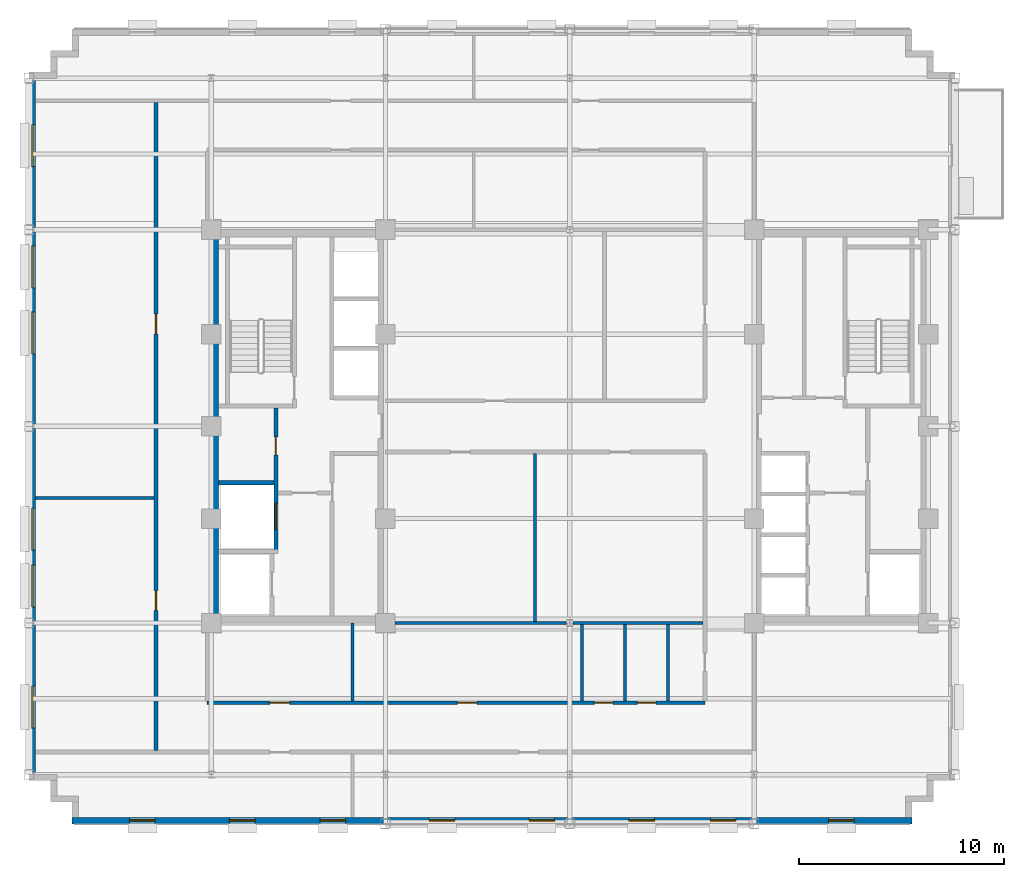
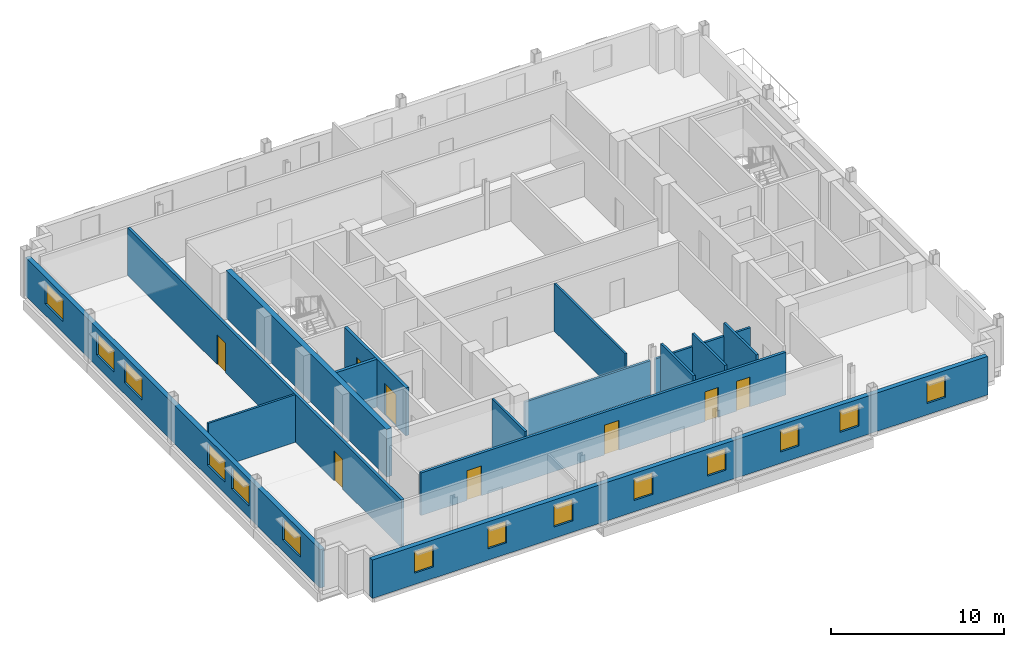
# One storey, part 6 of 13: 15 walls, 14 windows, 8 doors, 22 openings.
"""IFC4 building model written with IfcOpenShell, lengths in metres."""

from ifc_helpers import new_model, si_unit, direction, frame, frame_2d, origin, place, context, subcontext, project, spatial, rectangle, extrude, source, transform, mapped, material, layer, layer_set, type_object, type_shapes, element, fill, save


model = new_model("IFC4")

# Units and contexts
model_context = context("Model", 3, precision=1e-05, world=origin(), true_north=direction((0.0, 1.0)))
body_context = subcontext(model_context, "Body", "Model", "MODEL_VIEW")
ifc_project = project(units=[si_unit("LENGTHUNIT", "METRE"), si_unit("AREAUNIT", "SQUARE_METRE"), si_unit("VOLUMEUNIT", "CUBIC_METRE"), si_unit("PLANEANGLEUNIT", "RADIAN"), si_unit("MASSUNIT", "GRAM", prefix="KILO")], contexts=[model_context])

# Site, building, storey
site_placement = place(None, origin())
site = spatial("IfcSite", under=ifc_project, at=site_placement, CompositionType="ELEMENT")
building_placement = place(site_placement, origin())
building = spatial("IfcBuilding", under=site, at=building_placement, Name="Nuvemarco Arch Tower", CompositionType="ELEMENT")
storey_placement = place(building_placement, frame((0.0, 0.0, 220.10009765625)))
storey = spatial("IfcBuildingStorey", under=building, at=storey_placement, Name="L58", CompositionType="ELEMENT", Elevation=220.10009765625)

# Wall, openings, windows
ifc_material_1 = material(Name="Precast concrete C45/55", Category="concrete")
ifc_layer_1 = layer(ifc_material_1, 0.31005859375, Name="EW-UPP-310")
ifc_layer_set_1 = layer_set([ifc_layer_1], Name="Precast concrete C45/55")
wall_type_1 = type_object("IfcWallType", Name="EW-UPP-310", PredefinedType="STANDARD", material=ifc_layer_set_1)
wall_1_placement = place(storey_placement, frame((-24.300048828125, -19.2451171875, 0.0), z_axis=(0.0, 0.0, 1.0), x_axis=(1.0, 0.0, 0.0)))
wall_1 = element("IfcWall", 1, at=wall_1_placement, inside=storey, type_object=wall_type_1, Name="L58 exterior precast facade wall 1", PredefinedType="STANDARD", context=body_context, shape_type="SweptSolid", body=[
    extrude(rectangle(XDim=41.0, YDim=0.31005859375, at=frame_2d((20.5, 0.0))), origin(), (0.0, 0.0, 1.0), 2.704833984375),
])
opening_1_placement = place(wall_1_placement, frame((2.8125, 0.0, 0.800048828125)))
opening_1 = element("IfcOpeningElement", 2, at=opening_1_placement, cuts=wall_1, Name="Opening WN-13", PredefinedType="OPENING", context=body_context, shape_type="SweptSolid", body=[
    extrude(rectangle(XDim=1.25, YDim=1.52001953125, at=frame_2d((0.625, 0.760009765625))), frame((0.0, 0.1650390625, 0.0), z_axis=(0.0, -1.0, 0.0), x_axis=(1.0, 0.0, 0.0)), (0.0, 0.0, 1.0), 0.330078125),
])
opening_2_placement = place(wall_1_placement, frame((7.6875, 0.0, 0.800048828125)))
opening_2 = element("IfcOpeningElement", 3, at=opening_2_placement, cuts=wall_1, Name="Opening WN-13", PredefinedType="OPENING", context=body_context, shape_type="SweptSolid", body=[
    extrude(rectangle(XDim=1.25, YDim=1.52001953125, at=frame_2d((0.625, 0.760009765625))), frame((0.0, 0.1650390625, 0.0), z_axis=(0.0, -1.0, 0.0), x_axis=(1.0, 0.0, 0.0)), (0.0, 0.0, 1.0), 0.330078125),
])
opening_3_placement = place(wall_1_placement, frame((12.112548828125, 0.0, 0.800048828125)))
opening_3 = element("IfcOpeningElement", 4, at=opening_3_placement, cuts=wall_1, Name="Opening WN-13", PredefinedType="OPENING", context=body_context, shape_type="SweptSolid", body=[
    extrude(rectangle(XDim=1.25, YDim=1.52001953125, at=frame_2d((0.625, 0.760009765625))), frame((0.0, 0.1650390625, 0.0), z_axis=(0.0, -1.0, 0.0), x_axis=(1.0, 0.0, 0.0)), (0.0, 0.0, 1.0), 0.330078125),
])
opening_4_placement = place(wall_1_placement, frame((17.4375, 0.0, 0.800048828125)))
opening_4 = element("IfcOpeningElement", 5, at=opening_4_placement, cuts=wall_1, Name="Opening WN-13", PredefinedType="OPENING", context=body_context, shape_type="SweptSolid", body=[
    extrude(rectangle(XDim=1.25, YDim=1.52001953125, at=frame_2d((0.625, 0.760009765625))), frame((0.0, 0.1650390625, 0.0), z_axis=(0.0, -1.0, 0.0), x_axis=(1.0, 0.0, 0.0)), (0.0, 0.0, 1.0), 0.330078125),
])
opening_5_placement = place(wall_1_placement, frame((22.3125, 0.0, 0.800048828125)))
opening_5 = element("IfcOpeningElement", 6, at=opening_5_placement, cuts=wall_1, Name="Opening WN-13", PredefinedType="OPENING", context=body_context, shape_type="SweptSolid", body=[
    extrude(rectangle(XDim=1.25, YDim=1.52001953125, at=frame_2d((0.625, 0.760009765625))), frame((0.0, 0.1650390625, 0.0), z_axis=(0.0, -1.0, 0.0), x_axis=(1.0, 0.0, 0.0)), (0.0, 0.0, 1.0), 0.330078125),
])
opening_6_placement = place(wall_1_placement, frame((27.1875, 0.0, 0.800048828125)))
opening_6 = element("IfcOpeningElement", 7, at=opening_6_placement, cuts=wall_1, Name="Opening WN-13", PredefinedType="OPENING", context=body_context, shape_type="SweptSolid", body=[
    extrude(rectangle(XDim=1.25, YDim=1.52001953125, at=frame_2d((0.625, 0.760009765625))), frame((0.0, 0.1650390625, 0.0), z_axis=(0.0, -1.0, 0.0), x_axis=(1.0, 0.0, 0.0)), (0.0, 0.0, 1.0), 0.330078125),
])
opening_7_placement = place(wall_1_placement, frame((31.16259765625, 0.0, 0.800048828125)))
opening_7 = element("IfcOpeningElement", 8, at=opening_7_placement, cuts=wall_1, Name="Opening WN-13", PredefinedType="OPENING", context=body_context, shape_type="SweptSolid", body=[
    extrude(rectangle(XDim=1.25, YDim=1.52001953125, at=frame_2d((0.625, 0.760009765625))), frame((0.0, 0.1650390625, 0.0), z_axis=(0.0, -1.0, 0.0), x_axis=(1.0, 0.0, 0.0)), (0.0, 0.0, 1.0), 0.330078125),
])
opening_8_placement = place(wall_1_placement, frame((36.9375, 0.0, 0.800048828125)))
opening_8 = element("IfcOpeningElement", 9, at=opening_8_placement, cuts=wall_1, Name="Opening WN-13", PredefinedType="OPENING", context=body_context, shape_type="SweptSolid", body=[
    extrude(rectangle(XDim=1.25, YDim=1.52001953125, at=frame_2d((0.625, 0.760009765625))), frame((0.0, 0.1650390625, 0.0), z_axis=(0.0, -1.0, 0.0), x_axis=(1.0, 0.0, 0.0)), (0.0, 0.0, 1.0), 0.330078125),
])
ifc_material_2 = material(Name="Insulated solar-control glass", Category="glass")
window_type_1 = type_object("IfcWindowType", Name="WN-SET-1250x1520", PartitioningType="SINGLE_PANEL", PredefinedType="WINDOW", material=ifc_material_2)
shared_shape_1 = source(origin(), body_context, "Body", "SweptSolid", [
    extrude(rectangle(XDim=1.25, YDim=1.52001953125, at=frame_2d((0.625, 0.760009765625))), frame((0.0, 0.030029296875, 0.0), z_axis=(0.0, -1.0, 0.0), x_axis=(1.0, 0.0, 0.0)), (0.0, 0.0, 1.0), 0.06005859375),
])
type_shapes(window_type_1, [shared_shape_1])
window_1_placement = place(opening_1_placement, origin())
window_1 = element("IfcWindow", 10, at=window_1_placement, inside=storey, type_object=window_type_1, Name="L58 punched facade window 1", OverallHeight=1.52001953125, OverallWidth=1.25, PartitioningType="SINGLE_PANEL", PredefinedType="WINDOW", context=body_context, shape_type="MappedRepresentation", body=[
    mapped(shared_shape_1, transform((0.0, 0.0, 0.0), scale=1.0)),
])
fill(opening_1, window_1)
window_2_placement = place(opening_2_placement, origin())
window_2 = element("IfcWindow", 11, at=window_2_placement, inside=storey, type_object=window_type_1, Name="L58 punched facade window 2", OverallHeight=1.52001953125, OverallWidth=1.25, PartitioningType="SINGLE_PANEL", PredefinedType="WINDOW", context=body_context, shape_type="MappedRepresentation", body=[
    mapped(shared_shape_1, transform((0.0, 0.0, 0.0), scale=1.0)),
])
fill(opening_2, window_2)
window_3_placement = place(opening_3_placement, origin())
window_3 = element("IfcWindow", 12, at=window_3_placement, inside=storey, type_object=window_type_1, Name="L58 punched facade window 3", OverallHeight=1.52001953125, OverallWidth=1.25, PartitioningType="SINGLE_PANEL", PredefinedType="WINDOW", context=body_context, shape_type="MappedRepresentation", body=[
    mapped(shared_shape_1, transform((0.0, 0.0, 0.0), scale=1.0)),
])
fill(opening_3, window_3)
window_4_placement = place(opening_4_placement, origin())
window_4 = element("IfcWindow", 13, at=window_4_placement, inside=storey, type_object=window_type_1, Name="L58 punched facade window 4", OverallHeight=1.52001953125, OverallWidth=1.25, PartitioningType="SINGLE_PANEL", PredefinedType="WINDOW", context=body_context, shape_type="MappedRepresentation", body=[
    mapped(shared_shape_1, transform((0.0, 0.0, 0.0), scale=1.0)),
])
fill(opening_4, window_4)
window_5_placement = place(opening_5_placement, origin())
window_5 = element("IfcWindow", 14, at=window_5_placement, inside=storey, type_object=window_type_1, Name="L58 punched facade window 5", OverallHeight=1.52001953125, OverallWidth=1.25, PartitioningType="SINGLE_PANEL", PredefinedType="WINDOW", context=body_context, shape_type="MappedRepresentation", body=[
    mapped(shared_shape_1, transform((0.0, 0.0, 0.0), scale=1.0)),
])
fill(opening_5, window_5)
window_6_placement = place(opening_6_placement, origin())
window_6 = element("IfcWindow", 15, at=window_6_placement, inside=storey, type_object=window_type_1, Name="L58 punched facade window 6", OverallHeight=1.52001953125, OverallWidth=1.25, PartitioningType="SINGLE_PANEL", PredefinedType="WINDOW", context=body_context, shape_type="MappedRepresentation", body=[
    mapped(shared_shape_1, transform((0.0, 0.0, 0.0), scale=1.0)),
])
fill(opening_6, window_6)
window_7_placement = place(opening_7_placement, origin())
window_7 = element("IfcWindow", 16, at=window_7_placement, inside=storey, type_object=window_type_1, Name="L58 punched facade window 7", OverallHeight=1.52001953125, OverallWidth=1.25, PartitioningType="SINGLE_PANEL", PredefinedType="WINDOW", context=body_context, shape_type="MappedRepresentation", body=[
    mapped(shared_shape_1, transform((0.0, 0.0, 0.0), scale=1.0)),
])
fill(opening_7, window_7)
window_8_placement = place(opening_8_placement, origin())
window_8 = element("IfcWindow", 17, at=window_8_placement, inside=storey, type_object=window_type_1, Name="L58 punched facade window 8", OverallHeight=1.52001953125, OverallWidth=1.25, PartitioningType="SINGLE_PANEL", PredefinedType="WINDOW", context=body_context, shape_type="MappedRepresentation", body=[
    mapped(shared_shape_1, transform((0.0, 0.0, 0.0), scale=1.0)),
])
fill(opening_8, window_8)

wall_2_placement = place(storey_placement, frame((-26.2451171875, -16.993896484375, 0.0), z_axis=(0.0, 0.0, 1.0), x_axis=(0.0, 1.0, 0.0)))
wall_2 = element("IfcWall", 18, at=wall_2_placement, inside=storey, type_object=wall_type_1, Name="L58 exterior precast facade wall 16", PredefinedType="STANDARD", context=body_context, shape_type="SweptSolid", body=[
    extrude(rectangle(XDim=33.98779296875, YDim=0.31005859375, at=frame_2d((16.993896484375, 0.0))), origin(), (0.0, 0.0, 1.0), 2.704833984375),
])
opening_9_placement = place(wall_2_placement, frame((2.260009765625, 0.0, 0.800048828125)))
opening_9 = element("IfcOpeningElement", 19, at=opening_9_placement, cuts=wall_2, Name="Opening WN-12", PredefinedType="OPENING", context=body_context, shape_type="SweptSolid", body=[
    extrude(rectangle(XDim=2.050048828125, YDim=1.52001953125, at=frame_2d((1.02490234375, 0.760009765625))), frame((0.0, 0.1650390625, 0.0), z_axis=(0.0, -1.0, 0.0), x_axis=(1.0, 0.0, 0.0)), (0.0, 0.0, 1.0), 0.330078125),
])
opening_10_placement = place(wall_2_placement, frame((8.1796875, 0.0, 0.800048828125)))
opening_10 = element("IfcOpeningElement", 20, at=opening_10_placement, cuts=wall_2, Name="Opening WN-12", PredefinedType="OPENING", context=body_context, shape_type="SweptSolid", body=[
    extrude(rectangle(XDim=2.050048828125, YDim=1.52001953125, at=frame_2d((1.02490234375, 0.760009765625))), frame((0.0, 0.1650390625, 0.0), z_axis=(0.0, -1.0, 0.0), x_axis=(1.0, 0.0, 0.0)), (0.0, 0.0, 1.0), 0.330078125),
])
opening_11_placement = place(wall_2_placement, frame((10.94921875, 0.0, 0.800048828125)))
opening_11 = element("IfcOpeningElement", 21, at=opening_11_placement, cuts=wall_2, Name="Opening WN-12", PredefinedType="OPENING", context=body_context, shape_type="SweptSolid", body=[
    extrude(rectangle(XDim=2.050048828125, YDim=1.52001953125, at=frame_2d((1.02490234375, 0.760009765625))), frame((0.0, 0.1650390625, 0.0), z_axis=(0.0, -1.0, 0.0), x_axis=(1.0, 0.0, 0.0)), (0.0, 0.0, 1.0), 0.330078125),
])
opening_12_placement = place(wall_2_placement, frame((20.538818359375, 0.0, 0.800048828125)))
opening_12 = element("IfcOpeningElement", 22, at=opening_12_placement, cuts=wall_2, Name="Opening WN-12", PredefinedType="OPENING", context=body_context, shape_type="SweptSolid", body=[
    extrude(rectangle(XDim=2.050048828125, YDim=1.52001953125, at=frame_2d((1.02490234375, 0.760009765625))), frame((0.0, 0.1650390625, 0.0), z_axis=(0.0, -1.0, 0.0), x_axis=(1.0, 0.0, 0.0)), (0.0, 0.0, 1.0), 0.330078125),
])
opening_13_placement = place(wall_2_placement, frame((23.75830078125, 0.0, 0.800048828125)))
opening_13 = element("IfcOpeningElement", 23, at=opening_13_placement, cuts=wall_2, Name="Opening WN-12", PredefinedType="OPENING", context=body_context, shape_type="SweptSolid", body=[
    extrude(rectangle(XDim=2.050048828125, YDim=1.52001953125, at=frame_2d((1.02490234375, 0.760009765625))), frame((0.0, 0.1650390625, 0.0), z_axis=(0.0, -1.0, 0.0), x_axis=(1.0, 0.0, 0.0)), (0.0, 0.0, 1.0), 0.330078125),
])
opening_14_placement = place(wall_2_placement, frame((29.677978515625, 0.0, 0.800048828125)))
opening_14 = element("IfcOpeningElement", 24, at=opening_14_placement, cuts=wall_2, Name="Opening WN-12", PredefinedType="OPENING", context=body_context, shape_type="SweptSolid", body=[
    extrude(rectangle(XDim=2.050048828125, YDim=1.52001953125, at=frame_2d((1.02490234375, 0.760009765625))), frame((0.0, 0.1650390625, 0.0), z_axis=(0.0, -1.0, 0.0), x_axis=(1.0, 0.0, 0.0)), (0.0, 0.0, 1.0), 0.330078125),
])
window_type_2 = type_object("IfcWindowType", Name="WN-SET-2050x1520", PartitioningType="DOUBLE_PANEL_VERTICAL", PredefinedType="WINDOW", material=ifc_material_2)
shared_shape_2 = source(origin(), body_context, "Body", "SweptSolid", [
    extrude(rectangle(XDim=2.050048828125, YDim=1.52001953125, at=frame_2d((1.02490234375, 0.760009765625))), frame((0.0, 0.030029296875, 0.0), z_axis=(0.0, -1.0, 0.0), x_axis=(1.0, 0.0, 0.0)), (0.0, 0.0, 1.0), 0.06005859375),
])
type_shapes(window_type_2, [shared_shape_2])
window_9_placement = place(opening_9_placement, origin())
window_9 = element("IfcWindow", 25, at=window_9_placement, inside=storey, type_object=window_type_2, Name="L58 punched facade window 1", OverallHeight=1.52001953125, OverallWidth=2.050048828125, PartitioningType="SINGLE_PANEL", PredefinedType="WINDOW", context=body_context, shape_type="MappedRepresentation", body=[
    mapped(shared_shape_2, transform((0.0, 0.0, 0.0), scale=1.0)),
])
fill(opening_9, window_9)
window_10_placement = place(opening_10_placement, origin())
window_10 = element("IfcWindow", 26, at=window_10_placement, inside=storey, type_object=window_type_2, Name="L58 punched facade window 2", OverallHeight=1.52001953125, OverallWidth=2.050048828125, PartitioningType="SINGLE_PANEL", PredefinedType="WINDOW", context=body_context, shape_type="MappedRepresentation", body=[
    mapped(shared_shape_2, transform((0.0, 0.0, 0.0), scale=1.0)),
])
fill(opening_10, window_10)
window_11_placement = place(opening_11_placement, origin())
window_11 = element("IfcWindow", 27, at=window_11_placement, inside=storey, type_object=window_type_2, Name="L58 punched facade window 3", OverallHeight=1.52001953125, OverallWidth=2.050048828125, PartitioningType="SINGLE_PANEL", PredefinedType="WINDOW", context=body_context, shape_type="MappedRepresentation", body=[
    mapped(shared_shape_2, transform((0.0, 0.0, 0.0), scale=1.0)),
])
fill(opening_11, window_11)
window_12_placement = place(opening_12_placement, origin())
window_12 = element("IfcWindow", 28, at=window_12_placement, inside=storey, type_object=window_type_2, Name="L58 punched facade window 5", OverallHeight=1.52001953125, OverallWidth=2.050048828125, PartitioningType="SINGLE_PANEL", PredefinedType="WINDOW", context=body_context, shape_type="MappedRepresentation", body=[
    mapped(shared_shape_2, transform((0.0, 0.0, 0.0), scale=1.0)),
])
fill(opening_12, window_12)
window_13_placement = place(opening_13_placement, origin())
window_13 = element("IfcWindow", 29, at=window_13_placement, inside=storey, type_object=window_type_2, Name="L58 punched facade window 6", OverallHeight=1.52001953125, OverallWidth=2.050048828125, PartitioningType="SINGLE_PANEL", PredefinedType="WINDOW", context=body_context, shape_type="MappedRepresentation", body=[
    mapped(shared_shape_2, transform((0.0, 0.0, 0.0), scale=1.0)),
])
fill(opening_13, window_13)
window_14_placement = place(opening_14_placement, origin())
window_14 = element("IfcWindow", 30, at=window_14_placement, inside=storey, type_object=window_type_2, Name="L58 punched facade window 7", OverallHeight=1.52001953125, OverallWidth=2.050048828125, PartitioningType="SINGLE_PANEL", PredefinedType="WINDOW", context=body_context, shape_type="MappedRepresentation", body=[
    mapped(shared_shape_2, transform((0.0, 0.0, 0.0), scale=1.0)),
])
fill(opening_14, window_14)

# Wall
ifc_material_3 = material(Name="Concrete C50/60", Category="concrete")
ifc_layer_2 = layer(ifc_material_3, 0.35009765625, Name="WL-CORE-350")
ifc_layer_set_2 = layer_set([ifc_layer_2], Name="Concrete C50/60")
wall_type_2 = type_object("IfcWallType", Name="WL-CORE-350", PredefinedType="SHEAR", material=ifc_layer_set_2)
wall_3_placement = place(storey_placement, frame((-17.324951171875, -9.2548828125, 0.0), z_axis=(0.0, 0.0, 1.0), x_axis=(0.0, 1.0, 0.0)))
element("IfcWall", 31, at=wall_3_placement, inside=storey, type_object=wall_type_2, Name="L58 W-core shear wall W", PredefinedType="SHEAR", context=body_context, shape_type="SweptSolid", body=[
    extrude(rectangle(XDim=18.509765625, YDim=0.35009765625, at=frame_2d((9.2548828125, 0.0))), origin(), (0.0, 0.0, 1.0), 3.369873046875),
])

# Wall, openings, doors
ifc_material_4 = material(Name="Fire-rated gypsum drywall partition")
ifc_layer_3 = layer(ifc_material_4, 0.179931640625, Name="WL-CORR-180")
ifc_layer_set_3 = layer_set([ifc_layer_3], Name="Fire-rated gypsum drywall partition")
wall_type_3 = type_object("IfcWallType", Name="WL-CORR-180", PredefinedType="PARTITIONING", material=ifc_layer_set_3)
wall_4_placement = place(storey_placement, frame((-17.699951171875, -13.5, 0.0), z_axis=(0.0, 0.0, 1.0), x_axis=(1.0, 0.0, 0.0)))
wall_4 = element("IfcWall", 32, at=wall_4_placement, inside=storey, type_object=wall_type_3, Name="L58 interior wall IW-L58-002", PredefinedType="PARTITIONING", context=body_context, shape_type="SweptSolid", body=[
    extrude(rectangle(XDim=24.300048828125, YDim=0.179931640625, at=frame_2d((12.14990234375, 0.0))), origin(), (0.0, 0.0, 1.0), 3.0078125),
])
opening_15_placement = place(wall_4_placement, frame((12.215087890625, 0.0, 0.0)))
opening_15 = element("IfcOpeningElement", 33, at=opening_15_placement, cuts=wall_4, Name="Opening FD-5", PredefinedType="OPENING", context=body_context, shape_type="SweptSolid", body=[
    extrude(rectangle(XDim=0.9599609375, YDim=2.10009765625, at=frame_2d((0.47998046875, 1.050048828125))), frame((0.0, 0.099853515625, 0.0), z_axis=(0.0, -1.0, 0.0), x_axis=(1.0, 0.0, 0.0)), (0.0, 0.0, 1.0), 0.199951171875),
])
opening_16_placement = place(wall_4_placement, frame((3.06494140625, 0.0, 0.0)))
opening_16 = element("IfcOpeningElement", 34, at=opening_16_placement, cuts=wall_4, Name="Opening FD-5", PredefinedType="OPENING", context=body_context, shape_type="SweptSolid", body=[
    extrude(rectangle(XDim=0.9599609375, YDim=2.10009765625, at=frame_2d((0.47998046875, 1.050048828125))), frame((0.0, 0.099853515625, 0.0), z_axis=(0.0, -1.0, 0.0), x_axis=(1.0, 0.0, 0.0)), (0.0, 0.0, 1.0), 0.199951171875),
])
opening_17_placement = place(wall_4_placement, frame((18.89990234375, 0.0, 0.0)))
opening_17 = element("IfcOpeningElement", 35, at=opening_17_placement, cuts=wall_4, Name="Opening ID-3", PredefinedType="OPENING", context=body_context, shape_type="SweptSolid", body=[
    extrude(rectangle(XDim=0.89990234375, YDim=2.10009765625, at=frame_2d((0.449951171875, 1.050048828125))), frame((0.0, 0.099853515625, 0.0), z_axis=(0.0, -1.0, 0.0), x_axis=(1.0, 0.0, 0.0)), (0.0, 0.0, 1.0), 0.199951171875),
])
opening_18_placement = place(wall_4_placement, frame((21.0, 0.0, 0.0)))
opening_18 = element("IfcOpeningElement", 36, at=opening_18_placement, cuts=wall_4, Name="Opening ID-3", PredefinedType="OPENING", context=body_context, shape_type="SweptSolid", body=[
    extrude(rectangle(XDim=0.89990234375, YDim=2.10009765625, at=frame_2d((0.449951171875, 1.050048828125))), frame((0.0, 0.099853515625, 0.0), z_axis=(0.0, -1.0, 0.0), x_axis=(1.0, 0.0, 0.0)), (0.0, 0.0, 1.0), 0.199951171875),
])
ifc_material_5 = material(Name="Timber fire door", Category="wood")
door_type_1 = type_object("IfcDoorType", Name="DR-CORR-FD", OperationType="NOTDEFINED", PredefinedType="DOOR", material=ifc_material_5)
shared_shape_3 = source(origin(), body_context, "Body", "SweptSolid", [
    extrude(rectangle(XDim=0.9599609375, YDim=2.10009765625, at=frame_2d((0.47998046875, 1.050048828125))), frame((0.0, 0.02490234375, 0.0), z_axis=(0.0, -1.0, 0.0), x_axis=(1.0, 0.0, 0.0)), (0.0, 0.0, 1.0), 0.050048828125),
])
type_shapes(door_type_1, [shared_shape_3])
door_1_placement = place(opening_15_placement, origin())
door_1 = element("IfcDoor", 37, at=door_1_placement, inside=storey, type_object=door_type_1, Name="L58 door DR-L58-S_2_2", OperationType="SINGLE_SWING_RIGHT", OverallHeight=2.10009765625, OverallWidth=0.9599609375, PredefinedType="DOOR", context=body_context, shape_type="MappedRepresentation", body=[
    mapped(shared_shape_3, transform((0.0, 0.0, 0.0), scale=1.0)),
])
fill(opening_15, door_1)
door_2_placement = place(opening_16_placement, origin())
door_2 = element("IfcDoor", 38, at=door_2_placement, inside=storey, type_object=door_type_1, Name="L58 door DR-L58-IN_S1", OperationType="SINGLE_SWING_LEFT", OverallHeight=2.10009765625, OverallWidth=0.9599609375, PredefinedType="DOOR", context=body_context, shape_type="MappedRepresentation", body=[
    mapped(shared_shape_3, transform((0.0, 0.0, 0.0), scale=1.0)),
])
fill(opening_16, door_2)
ifc_material_6 = material(Name="Veneered oak timber fire door", Category="wood")
door_type_2 = type_object("IfcDoorType", Name="DR-WC-ACC", OperationType="NOTDEFINED", PredefinedType="DOOR", material=ifc_material_6)
shared_shape_4 = source(origin(), body_context, "Body", "SweptSolid", [
    extrude(rectangle(XDim=0.89990234375, YDim=2.10009765625, at=frame_2d((0.449951171875, 1.050048828125))), frame((0.0, 0.02490234375, 0.0), z_axis=(0.0, -1.0, 0.0), x_axis=(1.0, 0.0, 0.0)), (0.0, 0.0, 1.0), 0.050048828125),
])
type_shapes(door_type_2, [shared_shape_4])
door_3_placement = place(opening_17_placement, origin())
door_3 = element("IfcDoor", 39, at=door_3_placement, inside=storey, type_object=door_type_2, Name="L58 door DR-L58-WC_M", OperationType="SINGLE_SWING_LEFT", OverallHeight=2.10009765625, OverallWidth=0.89990234375, PredefinedType="DOOR", context=body_context, shape_type="MappedRepresentation", body=[
    mapped(shared_shape_4, transform((0.0, 0.0, 0.0), scale=1.0)),
])
fill(opening_17, door_3)
door_4_placement = place(opening_18_placement, origin())
door_4 = element("IfcDoor", 40, at=door_4_placement, inside=storey, type_object=door_type_2, Name="L58 door DR-L58-WC_F", OperationType="SINGLE_SWING_RIGHT", OverallHeight=2.10009765625, OverallWidth=0.89990234375, PredefinedType="DOOR", context=body_context, shape_type="MappedRepresentation", body=[
    mapped(shared_shape_4, transform((0.0, 0.0, 0.0), scale=1.0)),
])
fill(opening_18, door_4)

wall_5_placement = place(storey_placement, frame((-20.199951171875, -15.81396484375, 0.0), z_axis=(0.0, 0.0, 1.0), x_axis=(0.0, 1.0, 0.0)))
wall_5 = element("IfcWall", 41, at=wall_5_placement, inside=storey, type_object=wall_type_3, Name="L58 interior wall IW-L58-012", PredefinedType="PARTITIONING", context=body_context, shape_type="SweptSolid", body=[
    extrude(rectangle(XDim=31.6279296875, YDim=0.179931640625, at=frame_2d((15.81396484375, 0.0))), origin(), (0.0, 0.0, 1.0), 3.35986328125),
])
opening_19_placement = place(wall_5_placement, frame((20.333984375, 0.0, 0.0)))
opening_19 = element("IfcOpeningElement", 42, at=opening_19_placement, cuts=wall_5, Name="Opening FD-5", PredefinedType="OPENING", context=body_context, shape_type="SweptSolid", body=[
    extrude(rectangle(XDim=0.9599609375, YDim=2.10009765625, at=frame_2d((0.47998046875, 1.050048828125))), frame((0.0, 0.099853515625, 0.0), z_axis=(0.0, -1.0, 0.0), x_axis=(1.0, 0.0, 0.0)), (0.0, 0.0, 1.0), 0.199951171875),
])
opening_20_placement = place(wall_5_placement, frame((6.833984375, 0.0, 0.0)))
opening_20 = element("IfcOpeningElement", 43, at=opening_20_placement, cuts=wall_5, Name="Opening FD-5", PredefinedType="OPENING", context=body_context, shape_type="SweptSolid", body=[
    extrude(rectangle(XDim=0.9599609375, YDim=2.10009765625, at=frame_2d((0.47998046875, 1.050048828125))), frame((0.0, 0.099853515625, 0.0), z_axis=(0.0, -1.0, 0.0), x_axis=(1.0, 0.0, 0.0)), (0.0, 0.0, 1.0), 0.199951171875),
])
door_5_placement = place(opening_19_placement, origin())
door_5 = element("IfcDoor", 44, at=door_5_placement, inside=storey, type_object=door_type_1, Name="L58 door DR-L58-W_2", OperationType="SINGLE_SWING_LEFT", OverallHeight=2.10009765625, OverallWidth=0.9599609375, PredefinedType="DOOR", context=body_context, shape_type="MappedRepresentation", body=[
    mapped(shared_shape_3, transform((0.0, 0.0, 0.0), scale=1.0)),
])
fill(opening_19, door_5)
door_6_placement = place(opening_20_placement, origin())
door_6 = element("IfcDoor", 45, at=door_6_placement, inside=storey, type_object=door_type_1, Name="L58 door DR-L58-W_1", OperationType="SINGLE_SWING_RIGHT", OverallHeight=2.10009765625, OverallWidth=0.9599609375, PredefinedType="DOOR", context=body_context, shape_type="MappedRepresentation", body=[
    mapped(shared_shape_3, transform((0.0, 0.0, 0.0), scale=1.0)),
])
fill(opening_20, door_6)

# Walls
ifc_material_7 = material(Name="Gypsum plasterboard partition")
ifc_layer_4 = layer(ifc_material_7, 0.139892578125, Name="WL-ROOM-140")
ifc_layer_set_4 = layer_set([ifc_layer_4], Name="Gypsum plasterboard partition")
wall_type_4 = type_object("IfcWallType", Name="WL-ROOM-140", PredefinedType="PARTITIONING", material=ifc_layer_set_4)
wall_6_placement = place(storey_placement, frame((-26.090087890625, -3.5, 0.0), z_axis=(0.0, 0.0, 1.0), x_axis=(1.0, 0.0, 0.0)))
element("IfcWall", 46, at=wall_6_placement, inside=storey, type_object=wall_type_4, Name="L58 interior wall IW-L58-005", PredefinedType="PARTITIONING", context=body_context, shape_type="SweptSolid", body=[
    extrude(rectangle(XDim=5.80419921875, YDim=0.139892578125, at=frame_2d((2.902099609375, 0.0))), origin(), (0.0, 0.0, 1.0), 3.35986328125),
])
wall_7_placement = place(storey_placement, frame((-10.610107421875, -13.4140625, 0.0), z_axis=(0.0, 0.0, 1.0), x_axis=(0.0, 1.0, 0.0)))
element("IfcWall", 47, at=wall_7_placement, inside=storey, type_object=wall_type_4, Name="L58 interior wall IW-L58-016", PredefinedType="PARTITIONING", context=body_context, shape_type="SweptSolid", body=[
    extrude(rectangle(XDim=3.81396484375, YDim=0.139892578125, at=frame_2d((1.906982421875, 0.0))), origin(), (0.0, 0.0, 1.0), 3.35986328125),
])
wall_8_placement = place(storey_placement, frame((-1.699951171875, -9.529052734375, 0.0), z_axis=(0.0, 0.0, 1.0), x_axis=(0.0, 1.0, 0.0)))
element("IfcWall", 48, at=wall_8_placement, inside=storey, type_object=wall_type_4, Name="L58 interior wall IW-L58-019", PredefinedType="PARTITIONING", context=body_context, shape_type="SweptSolid", body=[
    extrude(rectangle(XDim=8.193115234375, YDim=0.139892578125, at=frame_2d((4.0966796875, 0.0))), origin(), (0.0, 0.0, 1.0), 3.35986328125),
])

# Wall, openings, doors
ifc_layer_5 = layer(ifc_material_3, 0.199951171875, Name="WL-SHAFT-220")
ifc_layer_set_5 = layer_set([ifc_layer_5], Name="Concrete C50/60")
wall_type_5 = type_object("IfcWallType", Name="WL-SHAFT-220", PredefinedType="SHEAR", material=ifc_layer_set_5)
wall_9_placement = place(storey_placement, frame((-14.35009765625, -6.199951171875, 0.0), z_axis=(0.0, 0.0, 1.0), x_axis=(0.0, 1.0, 0.0)))
wall_9 = element("IfcWall", 49, at=wall_9_placement, inside=storey, type_object=wall_type_5, Name="L58 structural shaft wall SW-L58-W-SVE", PredefinedType="SHEAR", context=body_context, shape_type="SweptSolid", body=[
    extrude(rectangle(XDim=7.10498046875, YDim=0.199951171875, at=frame_2d((3.552490234375, 0.0))), origin(), (0.0, 0.0, 1.0), 3.369873046875),
])
opening_21_placement = place(wall_9_placement, frame((5.68994140625, 0.0, 0.0), z_axis=(0.0, 0.0, 1.0), x_axis=(-1.0, 0.0, 0.0)))
opening_21 = element("IfcOpeningElement", 50, at=opening_21_placement, cuts=wall_9, Name="Opening FD-4", PredefinedType="OPENING", context=body_context, shape_type="SweptSolid", body=[
    extrude(rectangle(XDim=0.8798828125, YDim=2.10009765625, at=frame_2d((0.43994140625, 1.050048828125))), frame((0.0, 0.10986328125, 0.0), z_axis=(0.0, -1.0, 0.0), x_axis=(1.0, 0.0, 0.0)), (0.0, 0.0, 1.0), 0.219970703125),
])
opening_22_placement = place(wall_9_placement, frame((1.14990234375, 0.0, 0.0)))
opening_22 = element("IfcOpeningElement", 51, at=opening_22_placement, cuts=wall_9, Name="Opening LD-3", PredefinedType="OPENING", context=body_context, shape_type="SweptSolid", body=[
    extrude(rectangle(XDim=1.300048828125, YDim=2.199951171875, at=frame_2d((0.64990234375, 1.10009765625))), frame((0.0, 0.10986328125, 0.0), z_axis=(0.0, -1.0, 0.0), x_axis=(1.0, 0.0, 0.0)), (0.0, 0.0, 1.0), 0.219970703125),
])
ifc_material_8 = material(Name="Anodised steel fire door", Category="steel")
door_type_3 = type_object("IfcDoorType", Name="DR-RISER-FD", OperationType="NOTDEFINED", PredefinedType="DOOR", material=ifc_material_8)
shared_shape_5 = source(origin(), body_context, "Body", "SweptSolid", [
    extrude(rectangle(XDim=0.8798828125, YDim=2.10009765625, at=frame_2d((0.43994140625, 1.050048828125))), frame((0.0, 0.02490234375, 0.0), z_axis=(0.0, -1.0, 0.0), x_axis=(1.0, 0.0, 0.0)), (0.0, 0.0, 1.0), 0.050048828125),
])
type_shapes(door_type_3, [shared_shape_5])
door_7_placement = place(opening_21_placement, origin())
door_7 = element("IfcDoor", 52, at=door_7_placement, inside=storey, type_object=door_type_3, Name="L58 door FD-L58-WRIS", OperationType="SINGLE_SWING_LEFT", OverallHeight=2.10009765625, OverallWidth=0.8798828125, PredefinedType="DOOR", context=body_context, shape_type="MappedRepresentation", body=[
    mapped(shared_shape_5, transform((0.0, 0.0, 0.0), scale=1.0)),
])
fill(opening_21, door_7)
ifc_material_9 = material(Name="Stainless steel lift door", Category="steel")
door_type_4 = type_object("IfcDoorType", Name="DR-LIFT-SERV", OperationType="DOUBLE_DOOR_SLIDING", PredefinedType="DOOR", material=ifc_material_9)
shared_shape_6 = source(origin(), body_context, "Body", "SweptSolid", [
    extrude(rectangle(XDim=1.300048828125, YDim=2.199951171875, at=frame_2d((0.64990234375, 1.10009765625))), frame((0.0, 0.02490234375, 0.0), z_axis=(0.0, -1.0, 0.0), x_axis=(1.0, 0.0, 0.0)), (0.0, 0.0, 1.0), 0.050048828125),
])
type_shapes(door_type_4, [shared_shape_6])
door_8_placement = place(opening_22_placement, origin())
door_8 = element("IfcDoor", 53, at=door_8_placement, inside=storey, type_object=door_type_4, Name="L58 Lift landing sliding door SVL-1", OperationType="DOUBLE_DOOR_SLIDING", OverallHeight=2.199951171875, OverallWidth=1.300048828125, PredefinedType="DOOR", context=body_context, shape_type="MappedRepresentation", body=[
    mapped(shared_shape_6, transform((0.0, 0.0, 0.0), scale=1.0)),
])
fill(opening_22, door_8)

# Walls
wall_10_placement = place(storey_placement, frame((-17.155029296875, -2.75, 0.0), z_axis=(0.0, 0.0, 1.0), x_axis=(1.0, 0.0, 0.0)))
element("IfcWall", 54, at=wall_10_placement, inside=storey, type_object=wall_type_5, Name="L58 structural shaft wall SW-L58-W-SH2", PredefinedType="SHEAR", context=body_context, shape_type="SweptSolid", body=[
    extrude(rectangle(XDim=2.7099609375, YDim=0.199951171875, at=frame_2d((1.35498046875, 0.0))), origin(), (0.0, 0.0, 1.0), 3.369873046875),
])
ifc_material_10 = material(Name="Moisture-resistant gypsum partition")
ifc_layer_6 = layer(ifc_material_10, 0.14990234375, Name="WL-WET-150")
ifc_layer_set_6 = layer_set([ifc_layer_6], Name="Moisture-resistant gypsum partition")
wall_type_6 = type_object("IfcWallType", Name="WL-WET-150", PredefinedType="PARTITIONING", material=ifc_layer_set_6)
wall_11_placement = place(storey_placement, frame((-8.529052734375, -9.60009765625, 0.0), z_axis=(0.0, 0.0, 1.0), x_axis=(1.0, 0.0, 0.0)))
element("IfcWall", 55, at=wall_11_placement, inside=storey, type_object=wall_type_6, Name="L58 interior wall IW-L58-003", PredefinedType="PARTITIONING", context=body_context, shape_type="SweptSolid", body=[
    extrude(rectangle(XDim=8.378173828125, YDim=0.14990234375, at=frame_2d((4.18896484375, 0.0))), origin(), (0.0, 0.0, 1.0), 2.40478515625),
])
wall_12_placement = place(storey_placement, frame((0.15087890625, -9.60009765625, 0.0), z_axis=(0.0, 0.0, 1.0), x_axis=(1.0, 0.0, 0.0)))
element("IfcWall", 56, at=wall_12_placement, inside=storey, type_object=wall_type_6, Name="L58 interior wall IW-L58-004", PredefinedType="PARTITIONING", context=body_context, shape_type="SweptSolid", body=[
    extrude(rectangle(XDim=6.363037109375, YDim=0.14990234375, at=frame_2d((3.181640625, 0.0))), origin(), (0.0, 0.0, 1.0), 2.40478515625),
])
for number, where, z_axis, x_axis, name in (
    (57, (0.60009765625, -13.4140625, 0.0), (0.0, 0.0, 1.0), (0.0, 1.0, 0.0), "L58 interior wall IW-L58-020"),
    (58, (2.699951171875, -13.4140625, 0.0), (0.0, 0.0, 1.0), (0.0, 1.0, 0.0), "L58 interior wall IW-L58-022"),
    (59, (4.800048828125, -13.4140625, 0.0), (0.0, 0.0, 1.0), (0.0, 1.0, 0.0), "L58 interior wall IW-L58-023"),
):
    element("IfcWall", number, at=place(storey_placement, frame(where, z_axis=z_axis, x_axis=x_axis)), inside=storey, type_object=wall_type_6, Name=name, PredefinedType="PARTITIONING", context=body_context, shape_type="SweptSolid", body=[
        extrude(rectangle(XDim=3.7431640625, YDim=0.14990234375, at=frame_2d((1.87158203125, 0.0))), origin(), (0.0, 0.0, 1.0), 3.35986328125),
    ])

save(model, "model.ifc")
